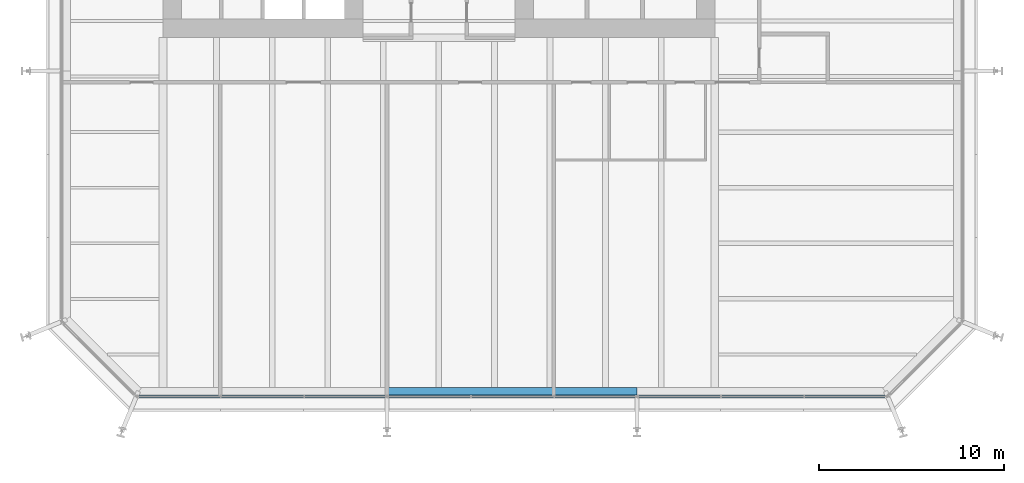
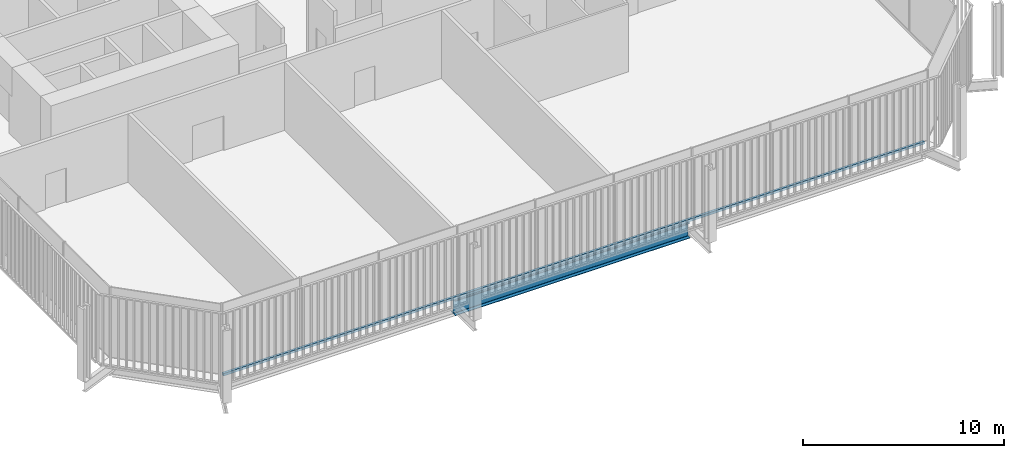
# One storey, part 3 of 20: 1 beam, 1 member, 1 element without a shape of its own.
"""IFC4 building model written with IfcOpenShell, lengths in metres."""

from ifc_helpers import new_model, si_unit, direction, frame, origin, origin_2d, place, context, subcontext, project, spatial, rectangle, i_section, extrude, material, layer, layer_set, material_profile, profile_set, type_object, element, aggregate, save


model = new_model("IFC4")

# Units and contexts
model_context = context("Model", 3, precision=1e-05, world=origin(), true_north=direction((0.0, 1.0)))
body_context = subcontext(model_context, "Body", "Model", "MODEL_VIEW")
ifc_project = project(units=[si_unit("LENGTHUNIT", "METRE"), si_unit("AREAUNIT", "SQUARE_METRE"), si_unit("VOLUMEUNIT", "CUBIC_METRE"), si_unit("PLANEANGLEUNIT", "RADIAN"), si_unit("MASSUNIT", "GRAM", prefix="KILO")], contexts=[model_context])

# Site, building, storey
site_placement = place(None, origin())
site = spatial("IfcSite", under=ifc_project, at=site_placement, CompositionType="ELEMENT")
building_placement = place(site_placement, origin())
building = spatial("IfcBuilding", under=site, at=building_placement, Name="Millrace Tower", CompositionType="ELEMENT")
storey_placement = place(building_placement, frame((0.0, 0.0, 108.39990234375)))
storey = spatial("IfcBuildingStorey", under=building, at=storey_placement, Name="L24", CompositionType="ELEMENT", Elevation=108.39990234375)

# Curtain wall, member
ifc_material_1 = material(Name="Aluminium and glass", Category="aluminium")
ifc_layer = layer(ifc_material_1, 0.14990234375)
ifc_layer_set = layer_set([ifc_layer], Name="Aluminium and glass")
curtain_wall_type = type_object("IfcCurtainWallType", Name="CW-3 telecom floor curtain wall", PredefinedType="NOTDEFINED", material=ifc_layer_set)
curtain_wall_placement = place(storey_placement, origin())
curtain_wall = element("IfcCurtainWall", 1, at=curtain_wall_placement, inside=storey, type_object=curtain_wall_type, Name="Curtain wall B-F02 L24", PredefinedType="NOTDEFINED")
ifc_material_2 = material(Name="Aluminium", Category="aluminium")
ifc_material_profile_1 = material_profile(ifc_material_2, rectangle(XDim=0.14990234375, YDim=0.14990234375, at=origin_2d()))
ifc_profile_set_1 = profile_set([ifc_material_profile_1], Name="Aluminium")
member_type = type_object("IfcMemberType", Name="CW-3 telecom floor curtain wall transom", PredefinedType="USERDEFINED", material=ifc_profile_set_1)
member_placement = place(storey_placement, frame((-16.199951171875, -29.27490234375, 0.0751953125), z_axis=(1.0, 0.0, 0.0), x_axis=(0.0, 1.0, 0.0)))
member = element("IfcMember", 2, at=member_placement, type_object=member_type, Name="CW3 transom B-F02.1", ObjectType="TRANSOM", PredefinedType="USERDEFINED", context=body_context, shape_type="SweptSolid", body=[
    extrude(rectangle(XDim=0.14990234375, YDim=0.14990234375, at=origin_2d()), origin(), (0.0, 0.0, 1.0), 40.300048828125),
])
aggregate(curtain_wall, [member])

# Beam
ifc_material_3 = material(Name="Steel ASTM A992 Grade 50", Category="steel")
ifc_material_profile_2 = material_profile(ifc_material_3, i_section(OverallWidth=0.419189453125, OverallDepth=0.927001953125, WebThickness=0.019287109375, FlangeThickness=0.031982421875, FilletRadius=0.024169921875, at=origin_2d()))
ifc_profile_set_2 = profile_set([ifc_material_profile_2], Name="Steel ASTM A992 Grade 50")
beam_type = type_object("IfcBeamType", Name="Ring beam medium span W36x231", PredefinedType="SPANDREL", material=ifc_profile_set_2)
beam_placement = place(storey_placement, frame((10.699951171875, -28.990478515625, -0.66357421875), z_axis=(-1.0, 0.0, 0.0), x_axis=(0.0, -1.0, 0.0)))
element("IfcBeam", 3, at=beam_placement, inside=storey, type_object=beam_type, Name="RNG-B-L24-S1-14", PredefinedType="SPANDREL", context=body_context, shape_type="SweptSolid", body=[
    extrude(i_section(OverallWidth=0.419189453125, OverallDepth=0.927001953125, WebThickness=0.019287109375, FlangeThickness=0.031982421875, FilletRadius=0.024169921875, at=origin_2d()), origin(), (0.0, 0.0, 1.0), 13.5),
])

save(model, "model.ifc")
